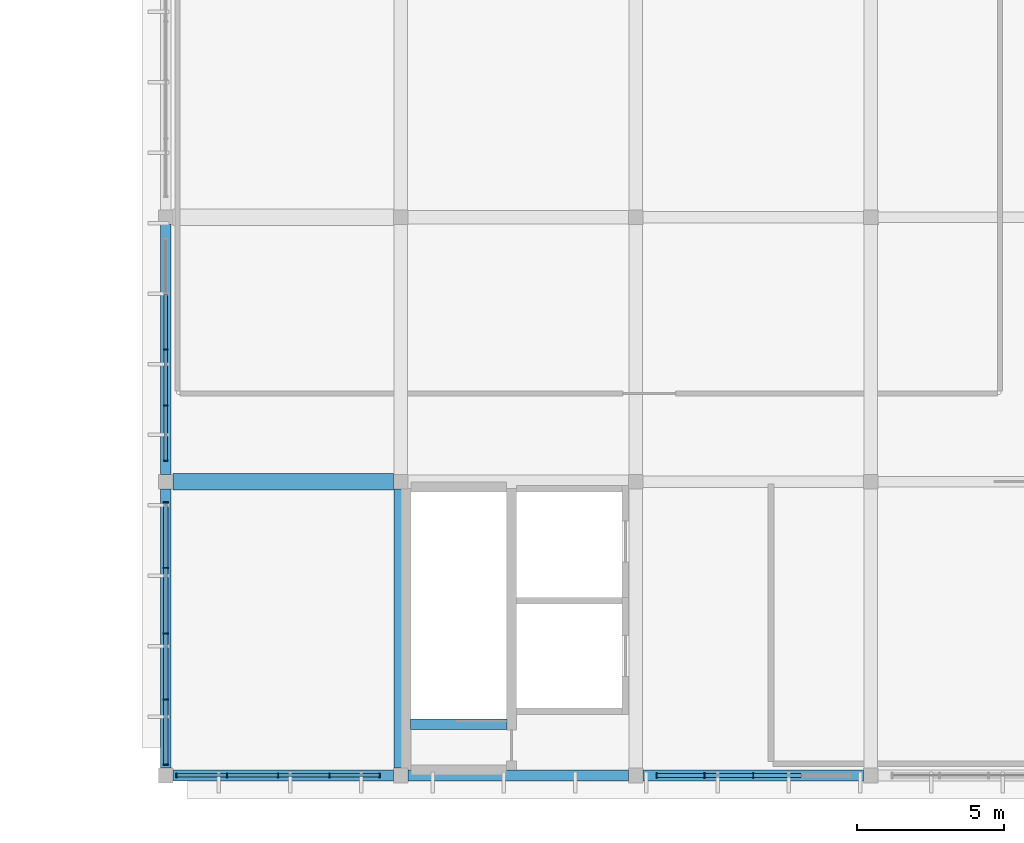
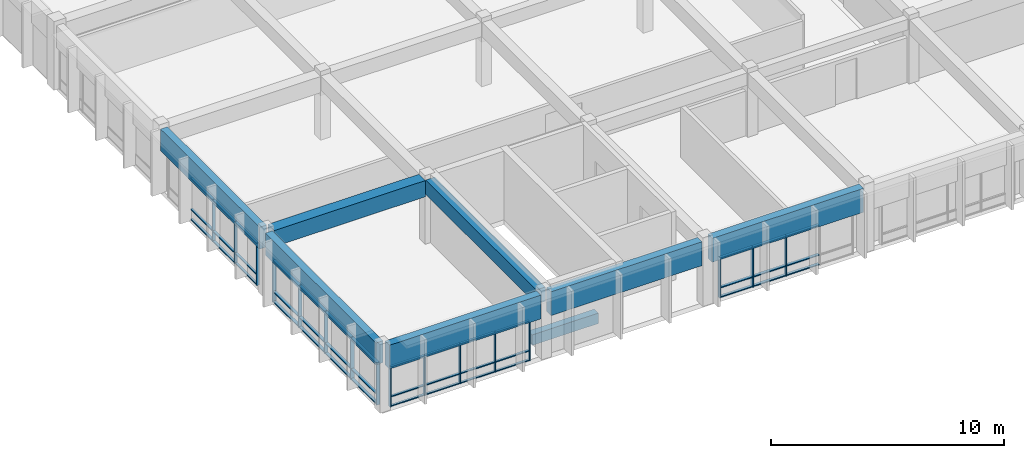
# One storey, part 4 of 33: 58 members, 8 beams, 4 elements without a shape of their own.
"""IFC4 building model written with IfcOpenShell, lengths in metres."""

from ifc_helpers import new_model, si_unit, direction, frame, origin, origin_2d, place, context, subcontext, project, spatial, rectangle, extrude, material, material_profile, profile_set, type_object, element, aggregate, save


model = new_model("IFC4")

# Units and contexts
model_context = context("Model", 3, precision=1e-05, world=origin(), true_north=direction((0.0, 1.0)))
body_context = subcontext(model_context, "Body", "Model", "MODEL_VIEW")
ifc_project = project(units=[si_unit("LENGTHUNIT", "METRE"), si_unit("AREAUNIT", "SQUARE_METRE"), si_unit("VOLUMEUNIT", "CUBIC_METRE"), si_unit("PLANEANGLEUNIT", "RADIAN"), si_unit("MASSUNIT", "GRAM", prefix="KILO")], contexts=[model_context])

# Site, building, storey
site_placement = place(None, origin())
site = spatial("IfcSite", under=ifc_project, at=site_placement, CompositionType="ELEMENT")
building_placement = place(site_placement, origin())
building = spatial("IfcBuilding", under=site, at=building_placement, Name="Larkveld Mobility Hub", CompositionType="ELEMENT")
storey_placement = place(building_placement, frame((0.0, 0.0, 15.60009765625)))
storey = spatial("IfcBuildingStorey", under=building, at=storey_placement, Name="L04", CompositionType="ELEMENT", Elevation=15.60009765625)

# Beams
ifc_material_1 = material(Name="Concrete C40/50", Category="concrete")
ifc_material_profile_1 = material_profile(ifc_material_1, rectangle(XDim=0.35009765625, YDim=0.550048828125, at=origin_2d()), Name="RC BM 350x550")
ifc_profile_set_1 = profile_set([ifc_material_profile_1], Name="Concrete C40/50")
beam_type_1 = type_object("IfcBeamType", Name="BM-RC3555", PredefinedType="BEAM", material=ifc_profile_set_1)
beam_1_placement = place(storey_placement, frame((120.330078125, 1.739990234375, -0.27001953125), z_axis=(1.0, 0.0, 0.0), x_axis=(0.0, 1.0, 0.0)))
element("IfcBeam", 1, at=beam_1_placement, inside=storey, type_object=beam_type_1, Name="Core C4 Stair Header Beam L04", PredefinedType="BEAM", context=body_context, shape_type="SweptSolid", body=[
    extrude(rectangle(XDim=0.35009765625, YDim=0.550048828125, at=origin_2d()), origin(), (0.0, 0.0, 1.0), 3.2900390625),
])
ifc_material_profile_2 = material_profile(ifc_material_1, rectangle(XDim=0.449951171875, YDim=0.75, at=origin_2d()), Name="RC BM 450x750")
ifc_profile_set_2 = profile_set([ifc_material_profile_2], Name="Concrete C40/50")
beam_type_2 = type_object("IfcBeamType", Name="BM-RC4575", PredefinedType="BEAM", material=ifc_profile_set_2)
beam_2_placement = place(storey_placement, frame((120.0, 0.25, 2.98486328125), z_axis=(0.0, 1.0, 0.0), x_axis=(-1.0, 0.0, 0.0)))
element("IfcBeam", 2, at=beam_2_placement, inside=storey, type_object=beam_type_2, Name="Primary N-S Girder L04-0907", PredefinedType="BEAM", context=body_context, shape_type="SweptSolid", body=[
    extrude(rectangle(XDim=0.449951171875, YDim=0.75, at=origin_2d()), origin(), (0.0, 0.0, 1.0), 9.5),
])
ifc_material_profile_3 = material_profile(ifc_material_1, rectangle(XDim=0.550048828125, YDim=0.85009765625, at=origin_2d()), Name="RC BM 550x850")
ifc_profile_set_3 = profile_set([ifc_material_profile_3], Name="Concrete C40/50")
beam_type_3 = type_object("IfcBeamType", Name="BM-RC5585", PredefinedType="BEAM", material=ifc_profile_set_3)
beam_3_placement = place(storey_placement, frame((112.25, 10.0, 2.934814453125), z_axis=(1.0, 0.0, 0.0), x_axis=(0.0, 1.0, 0.0)))
element("IfcBeam", 3, at=beam_3_placement, inside=storey, type_object=beam_type_3, Name="Primary E-W Girder L04-0860", PredefinedType="BEAM", context=body_context, shape_type="SweptSolid", body=[
    extrude(rectangle(XDim=0.550048828125, YDim=0.85009765625, at=origin_2d()), origin(), (0.0, 0.0, 1.0), 7.5),
])
ifc_material_2 = material(Name="Precast concrete C50/60", Category="concrete")
ifc_material_profile_4 = material_profile(ifc_material_2, rectangle(XDim=0.35009765625, YDim=1.14990234375, at=origin_2d()), Name="PC SP 350x1150")
ifc_profile_set_4 = profile_set([ifc_material_profile_4], Name="Precast concrete C50/60")
beam_type_4 = type_object("IfcBeamType", Name="BM-SP35115", PredefinedType="SPANDREL", material=ifc_profile_set_4)
beam_4_placement = place(storey_placement, frame((112.0, 0.25, 2.784912109375), z_axis=(0.0, 1.0, 0.0), x_axis=(-1.0, 0.0, 0.0)))
element("IfcBeam", 4, at=beam_4_placement, inside=storey, type_object=beam_type_4, Name="Primary N-S Girder L04-0896", PredefinedType="SPANDREL", context=body_context, shape_type="SweptSolid", body=[
    extrude(rectangle(XDim=0.35009765625, YDim=1.14990234375, at=origin_2d()), origin(), (0.0, 0.0, 1.0), 9.5),
])
beam_5_placement = place(storey_placement, frame((112.0, 10.25, 2.784912109375), z_axis=(0.0, 1.0, 0.0), x_axis=(-1.0, 0.0, 0.0)))
element("IfcBeam", 5, at=beam_5_placement, inside=storey, type_object=beam_type_4, Name="Primary N-S Girder L04-0897", PredefinedType="SPANDREL", context=body_context, shape_type="SweptSolid", body=[
    extrude(rectangle(XDim=0.35009765625, YDim=1.14990234375, at=origin_2d()), origin(), (0.0, 0.0, 1.0), 8.5),
])
ifc_material_profile_5 = material_profile(ifc_material_2, rectangle(XDim=0.3798828125, YDim=1.25, at=origin_2d()), Name="PC SP 380x1250")
ifc_profile_set_5 = profile_set([ifc_material_profile_5], Name="Precast concrete C50/60")
beam_type_5 = type_object("IfcBeamType", Name="BM-SP38125", PredefinedType="SPANDREL", material=ifc_profile_set_5)
for number, where, z_axis, x_axis, name in (
    (6, (112.25, 0.0, 2.73486328125), (1.0, 0.0, 0.0), (0.0, 1.0, 0.0), "Primary E-W Girder L04-0854"),
    (7, (120.25, 0.0, 2.73486328125), (1.0, 0.0, 0.0), (0.0, 1.0, 0.0), "Primary E-W Girder L04-0855"),
    (8, (128.25, 0.0, 2.73486328125), (1.0, 0.0, 0.0), (0.0, 1.0, 0.0), "Primary E-W Girder L04-0856"),
):
    element("IfcBeam", number, at=place(storey_placement, frame(where, z_axis=z_axis, x_axis=x_axis)), inside=storey, type_object=beam_type_5, Name=name, PredefinedType="SPANDREL", context=body_context, shape_type="SweptSolid", body=[
        extrude(rectangle(XDim=0.3798828125, YDim=1.25, at=origin_2d()), origin(), (0.0, 0.0, 1.0), 7.5),
    ])

# Curtain wall, members
ifc_material_3 = material(Name="Anodised aluminium 6063-T6", Category="aluminium")
curtain_wall_type_1 = type_object("IfcCurtainWallType", Name="CW-SYS-05", PredefinedType="NOTDEFINED", material=ifc_material_3)
curtain_wall_1_placement = place(storey_placement, origin())
curtain_wall_1 = element("IfcCurtainWall", 9, at=curtain_wall_1_placement, inside=storey, type_object=curtain_wall_type_1, Name="Service Centre South Curtain Wall L04 CW-125", PredefinedType="NOTDEFINED")
ifc_material_profile_6 = material_profile(ifc_material_3, rectangle(XDim=0.050048828125, YDim=0.14990234375, at=origin_2d()), Name="ALU MULL 50x150")
ifc_profile_set_6 = profile_set([ifc_material_profile_6], Name="Anodised aluminium 6063-T6")
member_type_1 = type_object("IfcMemberType", Name="CW-MUL-01", PredefinedType="MULLION", material=ifc_profile_set_6)
member_1_placement = place(storey_placement, frame((112.375, 0.0, -0.002197265625), z_axis=(0.0, 0.0, 1.0), x_axis=(1.0, 0.0, 0.0)))
member_1 = element("IfcMember", 10, at=member_1_placement, type_object=member_type_1, Name="CW05 mullion 1", PredefinedType="MULLION", context=body_context, shape_type="SweptSolid", body=[
    extrude(rectangle(XDim=0.050048828125, YDim=0.14990234375, at=origin_2d()), origin(), (0.0, 0.0, 1.0), 2.112060546875),
])
member_2_placement = place(storey_placement, frame((114.090087890625, 0.0, -0.002197265625), z_axis=(0.0, 0.0, 1.0), x_axis=(1.0, 0.0, 0.0)))
member_2 = element("IfcMember", 11, at=member_2_placement, type_object=member_type_1, Name="CW05 mullion 2", PredefinedType="MULLION", context=body_context, shape_type="SweptSolid", body=[
    extrude(rectangle(XDim=0.050048828125, YDim=0.14990234375, at=origin_2d()), origin(), (0.0, 0.0, 1.0), 2.112060546875),
])
member_3_placement = place(storey_placement, frame((115.830078125, 0.0, -0.002197265625), z_axis=(0.0, 0.0, 1.0), x_axis=(1.0, 0.0, 0.0)))
member_3 = element("IfcMember", 12, at=member_3_placement, type_object=member_type_1, Name="CW05 mullion 3", PredefinedType="MULLION", context=body_context, shape_type="SweptSolid", body=[
    extrude(rectangle(XDim=0.050048828125, YDim=0.14990234375, at=origin_2d()), origin(), (0.0, 0.0, 1.0), 2.112060546875),
])
member_4_placement = place(storey_placement, frame((117.570068359375, 0.0, -0.002197265625), z_axis=(0.0, 0.0, 1.0), x_axis=(1.0, 0.0, 0.0)))
member_4 = element("IfcMember", 13, at=member_4_placement, type_object=member_type_1, Name="CW05 mullion 4", PredefinedType="MULLION", context=body_context, shape_type="SweptSolid", body=[
    extrude(rectangle(XDim=0.050048828125, YDim=0.14990234375, at=origin_2d()), origin(), (0.0, 0.0, 1.0), 2.112060546875),
])
member_5_placement = place(storey_placement, frame((119.284912109375, 0.0, -0.002197265625), z_axis=(0.0, 0.0, 1.0), x_axis=(1.0, 0.0, 0.0)))
member_5 = element("IfcMember", 14, at=member_5_placement, type_object=member_type_1, Name="CW05 mullion 5", PredefinedType="MULLION", context=body_context, shape_type="SweptSolid", body=[
    extrude(rectangle(XDim=0.050048828125, YDim=0.14990234375, at=origin_2d()), origin(), (0.0, 0.0, 1.0), 2.112060546875),
])

curtain_wall_type_2 = type_object("IfcCurtainWallType", Name="CW-SYS-01", PredefinedType="NOTDEFINED", material=ifc_material_3)
curtain_wall_2_placement = place(storey_placement, origin())
curtain_wall_2 = element("IfcCurtainWall", 15, at=curtain_wall_2_placement, inside=storey, type_object=curtain_wall_type_2, Name="Public Passage East Service Facade L04 CW-133", PredefinedType="NOTDEFINED")
member_6_placement = place(storey_placement, frame((112.0, 14.5, -0.002197265625), z_axis=(0.0, 0.0, 1.0), x_axis=(0.0, -1.0, 0.0)))
member_6 = element("IfcMember", 16, at=member_6_placement, type_object=member_type_1, Name="CW01 mullion 3", PredefinedType="MULLION", context=body_context, shape_type="SweptSolid", body=[
    extrude(rectangle(XDim=0.050048828125, YDim=0.14990234375, at=origin_2d()), origin(), (0.0, 0.0, 1.0), 2.212158203125),
])
member_7_placement = place(storey_placement, frame((112.0, 12.594970703125, -0.002197265625), z_axis=(0.0, 0.0, 1.0), x_axis=(0.0, -1.0, 0.0)))
member_7 = element("IfcMember", 17, at=member_7_placement, type_object=member_type_1, Name="CW01 mullion 4", PredefinedType="MULLION", context=body_context, shape_type="SweptSolid", body=[
    extrude(rectangle(XDim=0.050048828125, YDim=0.14990234375, at=origin_2d()), origin(), (0.0, 0.0, 1.0), 2.212158203125),
])
member_8_placement = place(storey_placement, frame((112.0, 10.715087890625, -0.002197265625), z_axis=(0.0, 0.0, 1.0), x_axis=(0.0, -1.0, 0.0)))
member_8 = element("IfcMember", 18, at=member_8_placement, type_object=member_type_1, Name="CW01 mullion 5", PredefinedType="MULLION", context=body_context, shape_type="SweptSolid", body=[
    extrude(rectangle(XDim=0.050048828125, YDim=0.14990234375, at=origin_2d()), origin(), (0.0, 0.0, 1.0), 2.212158203125),
])

curtain_wall_type_3 = type_object("IfcCurtainWallType", Name="CW-SYS-06", PredefinedType="NOTDEFINED", material=ifc_material_3)
curtain_wall_3_placement = place(storey_placement, origin())
curtain_wall_3 = element("IfcCurtainWall", 19, at=curtain_wall_3_placement, inside=storey, type_object=curtain_wall_type_3, Name="Service Centre South Curtain Wall L04 CW-126", PredefinedType="NOTDEFINED")
ifc_material_profile_7 = material_profile(ifc_material_3, rectangle(XDim=0.050048828125, YDim=0.179931640625, at=origin_2d()), Name="ALU MULL 50x180")
ifc_profile_set_7 = profile_set([ifc_material_profile_7], Name="Anodised aluminium 6063-T6")
member_type_2 = type_object("IfcMemberType", Name="CW-MUL-02", PredefinedType="MULLION", material=ifc_profile_set_7)
member_9_placement = place(storey_placement, frame((128.715087890625, 0.0, -0.002197265625), z_axis=(0.0, 0.0, 1.0), x_axis=(1.0, 0.0, 0.0)))
member_9 = element("IfcMember", 20, at=member_9_placement, type_object=member_type_2, Name="CW06 mullion 1", PredefinedType="MULLION", context=body_context, shape_type="SweptSolid", body=[
    extrude(rectangle(XDim=0.050048828125, YDim=0.179931640625, at=origin_2d()), origin(), (0.0, 0.0, 1.0), 2.112060546875),
])
member_10_placement = place(storey_placement, frame((130.344970703125, 0.0, -0.002197265625), z_axis=(0.0, 0.0, 1.0), x_axis=(1.0, 0.0, 0.0)))
member_10 = element("IfcMember", 21, at=member_10_placement, type_object=member_type_2, Name="CW06 mullion 2", PredefinedType="MULLION", context=body_context, shape_type="SweptSolid", body=[
    extrude(rectangle(XDim=0.050048828125, YDim=0.179931640625, at=origin_2d()), origin(), (0.0, 0.0, 1.0), 2.112060546875),
])
member_11_placement = place(storey_placement, frame((132.0, 0.0, -0.002197265625), z_axis=(0.0, 0.0, 1.0), x_axis=(1.0, 0.0, 0.0)))
member_11 = element("IfcMember", 22, at=member_11_placement, type_object=member_type_2, Name="CW06 mullion 3", PredefinedType="MULLION", context=body_context, shape_type="SweptSolid", body=[
    extrude(rectangle(XDim=0.050048828125, YDim=0.179931640625, at=origin_2d()), origin(), (0.0, 0.0, 1.0), 2.112060546875),
])

curtain_wall_type_4 = type_object("IfcCurtainWallType", Name="CW-SYS-02", PredefinedType="NOTDEFINED", material=ifc_material_3)
curtain_wall_4_placement = place(storey_placement, origin())
curtain_wall_4 = element("IfcCurtainWall", 23, at=curtain_wall_4_placement, inside=storey, type_object=curtain_wall_type_4, Name="Public Passage East Service Facade L04 CW-134", PredefinedType="NOTDEFINED")
member_12_placement = place(storey_placement, frame((112.0, 9.284912109375, -0.002197265625), z_axis=(0.0, 0.0, 1.0), x_axis=(0.0, -1.0, 0.0)))
member_12 = element("IfcMember", 24, at=member_12_placement, type_object=member_type_2, Name="CW02 mullion 1", PredefinedType="MULLION", context=body_context, shape_type="SweptSolid", body=[
    extrude(rectangle(XDim=0.050048828125, YDim=0.179931640625, at=origin_2d()), origin(), (0.0, 0.0, 1.0), 2.212158203125),
])
member_13_placement = place(storey_placement, frame((112.0, 7.070068359375, -0.002197265625), z_axis=(0.0, 0.0, 1.0), x_axis=(0.0, -1.0, 0.0)))
member_13 = element("IfcMember", 25, at=member_13_placement, type_object=member_type_2, Name="CW02 mullion 2", PredefinedType="MULLION", context=body_context, shape_type="SweptSolid", body=[
    extrude(rectangle(XDim=0.050048828125, YDim=0.179931640625, at=origin_2d()), origin(), (0.0, 0.0, 1.0), 2.212158203125),
])
member_14_placement = place(storey_placement, frame((112.0, 4.830078125, -0.002197265625), z_axis=(0.0, 0.0, 1.0), x_axis=(0.0, -1.0, 0.0)))
member_14 = element("IfcMember", 26, at=member_14_placement, type_object=member_type_2, Name="CW02 mullion 3", PredefinedType="MULLION", context=body_context, shape_type="SweptSolid", body=[
    extrude(rectangle(XDim=0.050048828125, YDim=0.179931640625, at=origin_2d()), origin(), (0.0, 0.0, 1.0), 2.212158203125),
])
member_15_placement = place(storey_placement, frame((112.0, 2.590087890625, -0.002197265625), z_axis=(0.0, 0.0, 1.0), x_axis=(0.0, -1.0, 0.0)))
member_15 = element("IfcMember", 27, at=member_15_placement, type_object=member_type_2, Name="CW02 mullion 4", PredefinedType="MULLION", context=body_context, shape_type="SweptSolid", body=[
    extrude(rectangle(XDim=0.050048828125, YDim=0.179931640625, at=origin_2d()), origin(), (0.0, 0.0, 1.0), 2.212158203125),
])
member_16_placement = place(storey_placement, frame((112.0, 0.375, -0.002197265625), z_axis=(0.0, 0.0, 1.0), x_axis=(0.0, -1.0, 0.0)))
member_16 = element("IfcMember", 28, at=member_16_placement, type_object=member_type_2, Name="CW02 mullion 5", PredefinedType="MULLION", context=body_context, shape_type="SweptSolid", body=[
    extrude(rectangle(XDim=0.050048828125, YDim=0.179931640625, at=origin_2d()), origin(), (0.0, 0.0, 1.0), 2.212158203125),
])

# Member
ifc_material_profile_8 = material_profile(ifc_material_3, rectangle(XDim=0.1201171875, YDim=0.050048828125, at=origin_2d()), Name="ALU TRAN 50x120")
ifc_profile_set_8 = profile_set([ifc_material_profile_8], Name="Anodised aluminium 6063-T6")
member_type_3 = type_object("IfcMemberType", Name="CW-TRN-01", PredefinedType="USERDEFINED", material=ifc_profile_set_8)
member_17_placement = place(storey_placement, frame((112.385009765625, 0.0, 0.02978515625), z_axis=(1.0, 0.0, 0.0), x_axis=(0.0, 1.0, 0.0)))
member_17 = element("IfcMember", 29, at=member_17_placement, type_object=member_type_3, Name="CW05 transom 1.1", ObjectType="TRANSOM", PredefinedType="USERDEFINED", context=body_context, shape_type="SweptSolid", body=[
    extrude(rectangle(XDim=0.1201171875, YDim=0.050048828125, at=origin_2d()), origin(), (0.0, 0.0, 1.0), 1.68994140625),
])

member_18_placement = place(storey_placement, frame((112.385009765625, 0.0, 0.52685546875), z_axis=(1.0, 0.0, 0.0), x_axis=(0.0, 1.0, 0.0)))
member_18 = element("IfcMember", 30, at=member_18_placement, type_object=member_type_3, Name="CW05 transom 1.2", ObjectType="TRANSOM", PredefinedType="USERDEFINED", context=body_context, shape_type="SweptSolid", body=[
    extrude(rectangle(XDim=0.1201171875, YDim=0.050048828125, at=origin_2d()), origin(), (0.0, 0.0, 1.0), 1.68994140625),
])

member_19_placement = place(storey_placement, frame((112.385009765625, 0.0, 2.077880859375), z_axis=(1.0, 0.0, 0.0), x_axis=(0.0, 1.0, 0.0)))
member_19 = element("IfcMember", 31, at=member_19_placement, type_object=member_type_3, Name="CW05 transom 1.3", ObjectType="TRANSOM", PredefinedType="USERDEFINED", context=body_context, shape_type="SweptSolid", body=[
    extrude(rectangle(XDim=0.1201171875, YDim=0.050048828125, at=origin_2d()), origin(), (0.0, 0.0, 1.0), 1.68994140625),
])

member_20_placement = place(storey_placement, frame((114.10498046875, 0.0, 0.02978515625), z_axis=(1.0, 0.0, 0.0), x_axis=(0.0, 1.0, 0.0)))
member_20 = element("IfcMember", 32, at=member_20_placement, type_object=member_type_3, Name="CW05 transom 2.1", ObjectType="TRANSOM", PredefinedType="USERDEFINED", context=body_context, shape_type="SweptSolid", body=[
    extrude(rectangle(XDim=0.1201171875, YDim=0.050048828125, at=origin_2d()), origin(), (0.0, 0.0, 1.0), 1.7099609375),
])

member_21_placement = place(storey_placement, frame((114.10498046875, 0.0, 0.52685546875), z_axis=(1.0, 0.0, 0.0), x_axis=(0.0, 1.0, 0.0)))
member_21 = element("IfcMember", 33, at=member_21_placement, type_object=member_type_3, Name="CW05 transom 2.2", ObjectType="TRANSOM", PredefinedType="USERDEFINED", context=body_context, shape_type="SweptSolid", body=[
    extrude(rectangle(XDim=0.1201171875, YDim=0.050048828125, at=origin_2d()), origin(), (0.0, 0.0, 1.0), 1.7099609375),
])

member_22_placement = place(storey_placement, frame((114.10498046875, 0.0, 2.077880859375), z_axis=(1.0, 0.0, 0.0), x_axis=(0.0, 1.0, 0.0)))
member_22 = element("IfcMember", 34, at=member_22_placement, type_object=member_type_3, Name="CW05 transom 2.3", ObjectType="TRANSOM", PredefinedType="USERDEFINED", context=body_context, shape_type="SweptSolid", body=[
    extrude(rectangle(XDim=0.1201171875, YDim=0.050048828125, at=origin_2d()), origin(), (0.0, 0.0, 1.0), 1.7099609375),
])

member_23_placement = place(storey_placement, frame((115.844970703125, 0.0, 0.02978515625), z_axis=(1.0, 0.0, 0.0), x_axis=(0.0, 1.0, 0.0)))
member_23 = element("IfcMember", 35, at=member_23_placement, type_object=member_type_3, Name="CW05 transom 3.1", ObjectType="TRANSOM", PredefinedType="USERDEFINED", context=body_context, shape_type="SweptSolid", body=[
    extrude(rectangle(XDim=0.1201171875, YDim=0.050048828125, at=origin_2d()), origin(), (0.0, 0.0, 1.0), 1.7099609375),
])

member_24_placement = place(storey_placement, frame((115.844970703125, 0.0, 0.52685546875), z_axis=(1.0, 0.0, 0.0), x_axis=(0.0, 1.0, 0.0)))
member_24 = element("IfcMember", 36, at=member_24_placement, type_object=member_type_3, Name="CW05 transom 3.2", ObjectType="TRANSOM", PredefinedType="USERDEFINED", context=body_context, shape_type="SweptSolid", body=[
    extrude(rectangle(XDim=0.1201171875, YDim=0.050048828125, at=origin_2d()), origin(), (0.0, 0.0, 1.0), 1.7099609375),
])

member_25_placement = place(storey_placement, frame((115.844970703125, 0.0, 2.077880859375), z_axis=(1.0, 0.0, 0.0), x_axis=(0.0, 1.0, 0.0)))
member_25 = element("IfcMember", 37, at=member_25_placement, type_object=member_type_3, Name="CW05 transom 3.3", ObjectType="TRANSOM", PredefinedType="USERDEFINED", context=body_context, shape_type="SweptSolid", body=[
    extrude(rectangle(XDim=0.1201171875, YDim=0.050048828125, at=origin_2d()), origin(), (0.0, 0.0, 1.0), 1.7099609375),
])

member_26_placement = place(storey_placement, frame((117.5849609375, 0.0, 0.02978515625), z_axis=(1.0, 0.0, 0.0), x_axis=(0.0, 1.0, 0.0)))
member_26 = element("IfcMember", 38, at=member_26_placement, type_object=member_type_3, Name="CW05 transom 4.1", ObjectType="TRANSOM", PredefinedType="USERDEFINED", context=body_context, shape_type="SweptSolid", body=[
    extrude(rectangle(XDim=0.1201171875, YDim=0.050048828125, at=origin_2d()), origin(), (0.0, 0.0, 1.0), 1.68994140625),
])

member_27_placement = place(storey_placement, frame((117.5849609375, 0.0, 0.52685546875), z_axis=(1.0, 0.0, 0.0), x_axis=(0.0, 1.0, 0.0)))
member_27 = element("IfcMember", 39, at=member_27_placement, type_object=member_type_3, Name="CW05 transom 4.2", ObjectType="TRANSOM", PredefinedType="USERDEFINED", context=body_context, shape_type="SweptSolid", body=[
    extrude(rectangle(XDim=0.1201171875, YDim=0.050048828125, at=origin_2d()), origin(), (0.0, 0.0, 1.0), 1.68994140625),
])

member_28_placement = place(storey_placement, frame((117.5849609375, 0.0, 2.077880859375), z_axis=(1.0, 0.0, 0.0), x_axis=(0.0, 1.0, 0.0)))
member_28 = element("IfcMember", 40, at=member_28_placement, type_object=member_type_3, Name="CW05 transom 4.3", ObjectType="TRANSOM", PredefinedType="USERDEFINED", context=body_context, shape_type="SweptSolid", body=[
    extrude(rectangle(XDim=0.1201171875, YDim=0.050048828125, at=origin_2d()), origin(), (0.0, 0.0, 1.0), 1.68994140625),
])

aggregate(curtain_wall_1, [member_1, member_2, member_3, member_4, member_5, member_17, member_18, member_19, member_20, member_21, member_22, member_23, member_24, member_25, member_26, member_27, member_28])

member_29_placement = place(storey_placement, frame((112.0, 16.389892578125, 0.02978515625), z_axis=(0.0, -1.0, 0.0), x_axis=(1.0, 0.0, 0.0)))
member_29 = element("IfcMember", 41, at=member_29_placement, type_object=member_type_3, Name="CW01 transom 2.1", ObjectType="TRANSOM", PredefinedType="USERDEFINED", context=body_context, shape_type="SweptSolid", body=[
    extrude(rectangle(XDim=0.1201171875, YDim=0.050048828125, at=origin_2d()), origin(), (0.0, 0.0, 1.0), 1.875),
])

member_30_placement = place(storey_placement, frame((112.0, 16.389892578125, 0.552001953125), z_axis=(0.0, -1.0, 0.0), x_axis=(1.0, 0.0, 0.0)))
member_30 = element("IfcMember", 42, at=member_30_placement, type_object=member_type_3, Name="CW01 transom 2.2", ObjectType="TRANSOM", PredefinedType="USERDEFINED", context=body_context, shape_type="SweptSolid", body=[
    extrude(rectangle(XDim=0.1201171875, YDim=0.050048828125, at=origin_2d()), origin(), (0.0, 0.0, 1.0), 1.875),
])

member_31_placement = place(storey_placement, frame((112.0, 16.389892578125, 2.177978515625), z_axis=(0.0, -1.0, 0.0), x_axis=(1.0, 0.0, 0.0)))
member_31 = element("IfcMember", 43, at=member_31_placement, type_object=member_type_3, Name="CW01 transom 2.3", ObjectType="TRANSOM", PredefinedType="USERDEFINED", context=body_context, shape_type="SweptSolid", body=[
    extrude(rectangle(XDim=0.1201171875, YDim=0.050048828125, at=origin_2d()), origin(), (0.0, 0.0, 1.0), 1.875),
])

member_32_placement = place(storey_placement, frame((112.0, 14.485107421875, 0.02978515625), z_axis=(0.0, -1.0, 0.0), x_axis=(1.0, 0.0, 0.0)))
member_32 = element("IfcMember", 44, at=member_32_placement, type_object=member_type_3, Name="CW01 transom 3.1", ObjectType="TRANSOM", PredefinedType="USERDEFINED", context=body_context, shape_type="SweptSolid", body=[
    extrude(rectangle(XDim=0.1201171875, YDim=0.050048828125, at=origin_2d()), origin(), (0.0, 0.0, 1.0), 1.875),
])

member_33_placement = place(storey_placement, frame((112.0, 14.485107421875, 0.552001953125), z_axis=(0.0, -1.0, 0.0), x_axis=(1.0, 0.0, 0.0)))
member_33 = element("IfcMember", 45, at=member_33_placement, type_object=member_type_3, Name="CW01 transom 3.2", ObjectType="TRANSOM", PredefinedType="USERDEFINED", context=body_context, shape_type="SweptSolid", body=[
    extrude(rectangle(XDim=0.1201171875, YDim=0.050048828125, at=origin_2d()), origin(), (0.0, 0.0, 1.0), 1.875),
])

member_34_placement = place(storey_placement, frame((112.0, 14.485107421875, 2.177978515625), z_axis=(0.0, -1.0, 0.0), x_axis=(1.0, 0.0, 0.0)))
member_34 = element("IfcMember", 46, at=member_34_placement, type_object=member_type_3, Name="CW01 transom 3.3", ObjectType="TRANSOM", PredefinedType="USERDEFINED", context=body_context, shape_type="SweptSolid", body=[
    extrude(rectangle(XDim=0.1201171875, YDim=0.050048828125, at=origin_2d()), origin(), (0.0, 0.0, 1.0), 1.875),
])

member_35_placement = place(storey_placement, frame((112.0, 12.580078125, 0.02978515625), z_axis=(0.0, -1.0, 0.0), x_axis=(1.0, 0.0, 0.0)))
member_35 = element("IfcMember", 47, at=member_35_placement, type_object=member_type_3, Name="CW01 transom 4.1", ObjectType="TRANSOM", PredefinedType="USERDEFINED", context=body_context, shape_type="SweptSolid", body=[
    extrude(rectangle(XDim=0.1201171875, YDim=0.050048828125, at=origin_2d()), origin(), (0.0, 0.0, 1.0), 1.85498046875),
])

member_36_placement = place(storey_placement, frame((112.0, 12.580078125, 0.552001953125), z_axis=(0.0, -1.0, 0.0), x_axis=(1.0, 0.0, 0.0)))
member_36 = element("IfcMember", 48, at=member_36_placement, type_object=member_type_3, Name="CW01 transom 4.2", ObjectType="TRANSOM", PredefinedType="USERDEFINED", context=body_context, shape_type="SweptSolid", body=[
    extrude(rectangle(XDim=0.1201171875, YDim=0.050048828125, at=origin_2d()), origin(), (0.0, 0.0, 1.0), 1.85498046875),
])

member_37_placement = place(storey_placement, frame((112.0, 12.580078125, 2.177978515625), z_axis=(0.0, -1.0, 0.0), x_axis=(1.0, 0.0, 0.0)))
member_37 = element("IfcMember", 49, at=member_37_placement, type_object=member_type_3, Name="CW01 transom 4.3", ObjectType="TRANSOM", PredefinedType="USERDEFINED", context=body_context, shape_type="SweptSolid", body=[
    extrude(rectangle(XDim=0.1201171875, YDim=0.050048828125, at=origin_2d()), origin(), (0.0, 0.0, 1.0), 1.85498046875),
])

aggregate(curtain_wall_2, [member_6, member_7, member_8, member_29, member_30, member_31, member_32, member_33, member_34, member_35, member_36, member_37])

ifc_material_profile_9 = material_profile(ifc_material_3, rectangle(XDim=0.14990234375, YDim=0.050048828125, at=origin_2d()), Name="ALU TRAN 50x150")
ifc_profile_set_9 = profile_set([ifc_material_profile_9], Name="Anodised aluminium 6063-T6")
member_type_4 = type_object("IfcMemberType", Name="CW-TRN-02", PredefinedType="USERDEFINED", material=ifc_profile_set_9)
member_38_placement = place(storey_placement, frame((128.72509765625, 0.0, 0.02978515625), z_axis=(1.0, 0.0, 0.0), x_axis=(0.0, 1.0, 0.0)))
member_38 = element("IfcMember", 50, at=member_38_placement, type_object=member_type_4, Name="CW06 transom 1.1", ObjectType="TRANSOM", PredefinedType="USERDEFINED", context=body_context, shape_type="SweptSolid", body=[
    extrude(rectangle(XDim=0.14990234375, YDim=0.050048828125, at=origin_2d()), origin(), (0.0, 0.0, 1.0), 1.60498046875),
])

member_39_placement = place(storey_placement, frame((128.72509765625, 0.0, 0.52685546875), z_axis=(1.0, 0.0, 0.0), x_axis=(0.0, 1.0, 0.0)))
member_39 = element("IfcMember", 51, at=member_39_placement, type_object=member_type_4, Name="CW06 transom 1.2", ObjectType="TRANSOM", PredefinedType="USERDEFINED", context=body_context, shape_type="SweptSolid", body=[
    extrude(rectangle(XDim=0.14990234375, YDim=0.050048828125, at=origin_2d()), origin(), (0.0, 0.0, 1.0), 1.60498046875),
])

member_40_placement = place(storey_placement, frame((128.72509765625, 0.0, 2.077880859375), z_axis=(1.0, 0.0, 0.0), x_axis=(0.0, 1.0, 0.0)))
member_40 = element("IfcMember", 52, at=member_40_placement, type_object=member_type_4, Name="CW06 transom 1.3", ObjectType="TRANSOM", PredefinedType="USERDEFINED", context=body_context, shape_type="SweptSolid", body=[
    extrude(rectangle(XDim=0.14990234375, YDim=0.050048828125, at=origin_2d()), origin(), (0.0, 0.0, 1.0), 1.60498046875),
])

member_41_placement = place(storey_placement, frame((130.360107421875, 0.0, 0.02978515625), z_axis=(1.0, 0.0, 0.0), x_axis=(0.0, 1.0, 0.0)))
member_41 = element("IfcMember", 53, at=member_41_placement, type_object=member_type_4, Name="CW06 transom 2.1", ObjectType="TRANSOM", PredefinedType="USERDEFINED", context=body_context, shape_type="SweptSolid", body=[
    extrude(rectangle(XDim=0.14990234375, YDim=0.050048828125, at=origin_2d()), origin(), (0.0, 0.0, 1.0), 1.625),
])

member_42_placement = place(storey_placement, frame((130.360107421875, 0.0, 0.52685546875), z_axis=(1.0, 0.0, 0.0), x_axis=(0.0, 1.0, 0.0)))
member_42 = element("IfcMember", 54, at=member_42_placement, type_object=member_type_4, Name="CW06 transom 2.2", ObjectType="TRANSOM", PredefinedType="USERDEFINED", context=body_context, shape_type="SweptSolid", body=[
    extrude(rectangle(XDim=0.14990234375, YDim=0.050048828125, at=origin_2d()), origin(), (0.0, 0.0, 1.0), 1.625),
])

member_43_placement = place(storey_placement, frame((130.360107421875, 0.0, 2.077880859375), z_axis=(1.0, 0.0, 0.0), x_axis=(0.0, 1.0, 0.0)))
member_43 = element("IfcMember", 55, at=member_43_placement, type_object=member_type_4, Name="CW06 transom 2.3", ObjectType="TRANSOM", PredefinedType="USERDEFINED", context=body_context, shape_type="SweptSolid", body=[
    extrude(rectangle(XDim=0.14990234375, YDim=0.050048828125, at=origin_2d()), origin(), (0.0, 0.0, 1.0), 1.625),
])

member_44_placement = place(storey_placement, frame((132.014892578125, 0.0, 0.02978515625), z_axis=(1.0, 0.0, 0.0), x_axis=(0.0, 1.0, 0.0)))
member_44 = element("IfcMember", 56, at=member_44_placement, type_object=member_type_4, Name="CW06 transom 3.1", ObjectType="TRANSOM", PredefinedType="USERDEFINED", context=body_context, shape_type="SweptSolid", body=[
    extrude(rectangle(XDim=0.14990234375, YDim=0.050048828125, at=origin_2d()), origin(), (0.0, 0.0, 1.0), 1.625),
])

member_45_placement = place(storey_placement, frame((132.014892578125, 0.0, 0.52685546875), z_axis=(1.0, 0.0, 0.0), x_axis=(0.0, 1.0, 0.0)))
member_45 = element("IfcMember", 57, at=member_45_placement, type_object=member_type_4, Name="CW06 transom 3.2", ObjectType="TRANSOM", PredefinedType="USERDEFINED", context=body_context, shape_type="SweptSolid", body=[
    extrude(rectangle(XDim=0.14990234375, YDim=0.050048828125, at=origin_2d()), origin(), (0.0, 0.0, 1.0), 1.625),
])

member_46_placement = place(storey_placement, frame((132.014892578125, 0.0, 2.077880859375), z_axis=(1.0, 0.0, 0.0), x_axis=(0.0, 1.0, 0.0)))
member_46 = element("IfcMember", 58, at=member_46_placement, type_object=member_type_4, Name="CW06 transom 3.3", ObjectType="TRANSOM", PredefinedType="USERDEFINED", context=body_context, shape_type="SweptSolid", body=[
    extrude(rectangle(XDim=0.14990234375, YDim=0.050048828125, at=origin_2d()), origin(), (0.0, 0.0, 1.0), 1.625),
])

aggregate(curtain_wall_3, [member_9, member_10, member_11, member_38, member_39, member_40, member_41, member_42, member_43, member_44, member_45, member_46])

member_47_placement = place(storey_placement, frame((112.0, 9.27490234375, 0.02978515625), z_axis=(0.0, -1.0, 0.0), x_axis=(1.0, 0.0, 0.0)))
member_47 = element("IfcMember", 59, at=member_47_placement, type_object=member_type_4, Name="CW02 transom 1.1", ObjectType="TRANSOM", PredefinedType="USERDEFINED", context=body_context, shape_type="SweptSolid", body=[
    extrude(rectangle(XDim=0.14990234375, YDim=0.050048828125, at=origin_2d()), origin(), (0.0, 0.0, 1.0), 2.18994140625),
])

member_48_placement = place(storey_placement, frame((112.0, 9.27490234375, 0.552001953125), z_axis=(0.0, -1.0, 0.0), x_axis=(1.0, 0.0, 0.0)))
member_48 = element("IfcMember", 60, at=member_48_placement, type_object=member_type_4, Name="CW02 transom 1.2", ObjectType="TRANSOM", PredefinedType="USERDEFINED", context=body_context, shape_type="SweptSolid", body=[
    extrude(rectangle(XDim=0.14990234375, YDim=0.050048828125, at=origin_2d()), origin(), (0.0, 0.0, 1.0), 2.18994140625),
])

member_49_placement = place(storey_placement, frame((112.0, 9.27490234375, 2.177978515625), z_axis=(0.0, -1.0, 0.0), x_axis=(1.0, 0.0, 0.0)))
member_49 = element("IfcMember", 61, at=member_49_placement, type_object=member_type_4, Name="CW02 transom 1.3", ObjectType="TRANSOM", PredefinedType="USERDEFINED", context=body_context, shape_type="SweptSolid", body=[
    extrude(rectangle(XDim=0.14990234375, YDim=0.050048828125, at=origin_2d()), origin(), (0.0, 0.0, 1.0), 2.18994140625),
])

member_50_placement = place(storey_placement, frame((112.0, 7.054931640625, 0.02978515625), z_axis=(0.0, -1.0, 0.0), x_axis=(1.0, 0.0, 0.0)))
member_50 = element("IfcMember", 62, at=member_50_placement, type_object=member_type_4, Name="CW02 transom 2.1", ObjectType="TRANSOM", PredefinedType="USERDEFINED", context=body_context, shape_type="SweptSolid", body=[
    extrude(rectangle(XDim=0.14990234375, YDim=0.050048828125, at=origin_2d()), origin(), (0.0, 0.0, 1.0), 2.2099609375),
])

member_51_placement = place(storey_placement, frame((112.0, 7.054931640625, 0.552001953125), z_axis=(0.0, -1.0, 0.0), x_axis=(1.0, 0.0, 0.0)))
member_51 = element("IfcMember", 63, at=member_51_placement, type_object=member_type_4, Name="CW02 transom 2.2", ObjectType="TRANSOM", PredefinedType="USERDEFINED", context=body_context, shape_type="SweptSolid", body=[
    extrude(rectangle(XDim=0.14990234375, YDim=0.050048828125, at=origin_2d()), origin(), (0.0, 0.0, 1.0), 2.2099609375),
])

member_52_placement = place(storey_placement, frame((112.0, 7.054931640625, 2.177978515625), z_axis=(0.0, -1.0, 0.0), x_axis=(1.0, 0.0, 0.0)))
member_52 = element("IfcMember", 64, at=member_52_placement, type_object=member_type_4, Name="CW02 transom 2.3", ObjectType="TRANSOM", PredefinedType="USERDEFINED", context=body_context, shape_type="SweptSolid", body=[
    extrude(rectangle(XDim=0.14990234375, YDim=0.050048828125, at=origin_2d()), origin(), (0.0, 0.0, 1.0), 2.2099609375),
])

member_53_placement = place(storey_placement, frame((112.0, 4.81494140625, 0.02978515625), z_axis=(0.0, -1.0, 0.0), x_axis=(1.0, 0.0, 0.0)))
member_53 = element("IfcMember", 65, at=member_53_placement, type_object=member_type_4, Name="CW02 transom 3.1", ObjectType="TRANSOM", PredefinedType="USERDEFINED", context=body_context, shape_type="SweptSolid", body=[
    extrude(rectangle(XDim=0.14990234375, YDim=0.050048828125, at=origin_2d()), origin(), (0.0, 0.0, 1.0), 2.2099609375),
])

member_54_placement = place(storey_placement, frame((112.0, 4.81494140625, 0.552001953125), z_axis=(0.0, -1.0, 0.0), x_axis=(1.0, 0.0, 0.0)))
member_54 = element("IfcMember", 66, at=member_54_placement, type_object=member_type_4, Name="CW02 transom 3.2", ObjectType="TRANSOM", PredefinedType="USERDEFINED", context=body_context, shape_type="SweptSolid", body=[
    extrude(rectangle(XDim=0.14990234375, YDim=0.050048828125, at=origin_2d()), origin(), (0.0, 0.0, 1.0), 2.2099609375),
])

member_55_placement = place(storey_placement, frame((112.0, 4.81494140625, 2.177978515625), z_axis=(0.0, -1.0, 0.0), x_axis=(1.0, 0.0, 0.0)))
member_55 = element("IfcMember", 67, at=member_55_placement, type_object=member_type_4, Name="CW02 transom 3.3", ObjectType="TRANSOM", PredefinedType="USERDEFINED", context=body_context, shape_type="SweptSolid", body=[
    extrude(rectangle(XDim=0.14990234375, YDim=0.050048828125, at=origin_2d()), origin(), (0.0, 0.0, 1.0), 2.2099609375),
])

member_56_placement = place(storey_placement, frame((112.0, 2.574951171875, 0.02978515625), z_axis=(0.0, -1.0, 0.0), x_axis=(1.0, 0.0, 0.0)))
member_56 = element("IfcMember", 68, at=member_56_placement, type_object=member_type_4, Name="CW02 transom 4.1", ObjectType="TRANSOM", PredefinedType="USERDEFINED", context=body_context, shape_type="SweptSolid", body=[
    extrude(rectangle(XDim=0.14990234375, YDim=0.050048828125, at=origin_2d()), origin(), (0.0, 0.0, 1.0), 2.18994140625),
])

member_57_placement = place(storey_placement, frame((112.0, 2.574951171875, 0.552001953125), z_axis=(0.0, -1.0, 0.0), x_axis=(1.0, 0.0, 0.0)))
member_57 = element("IfcMember", 69, at=member_57_placement, type_object=member_type_4, Name="CW02 transom 4.2", ObjectType="TRANSOM", PredefinedType="USERDEFINED", context=body_context, shape_type="SweptSolid", body=[
    extrude(rectangle(XDim=0.14990234375, YDim=0.050048828125, at=origin_2d()), origin(), (0.0, 0.0, 1.0), 2.18994140625),
])

member_58_placement = place(storey_placement, frame((112.0, 2.574951171875, 2.177978515625), z_axis=(0.0, -1.0, 0.0), x_axis=(1.0, 0.0, 0.0)))
member_58 = element("IfcMember", 70, at=member_58_placement, type_object=member_type_4, Name="CW02 transom 4.3", ObjectType="TRANSOM", PredefinedType="USERDEFINED", context=body_context, shape_type="SweptSolid", body=[
    extrude(rectangle(XDim=0.14990234375, YDim=0.050048828125, at=origin_2d()), origin(), (0.0, 0.0, 1.0), 2.18994140625),
])

aggregate(curtain_wall_4, [member_12, member_13, member_14, member_15, member_16, member_47, member_48, member_49, member_50, member_51, member_52, member_53, member_54, member_55, member_56, member_57, member_58])

save(model, "model.ifc")
